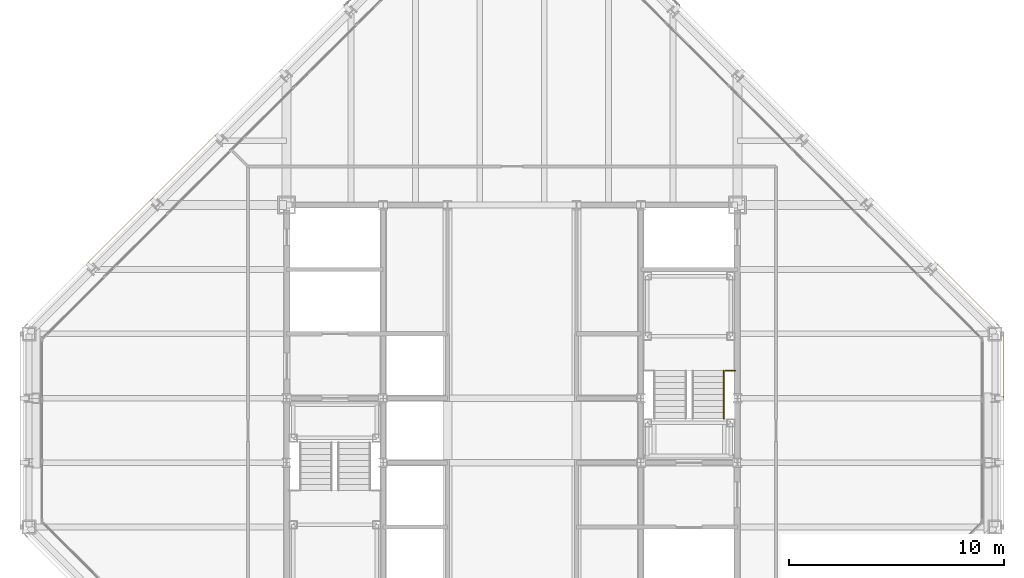
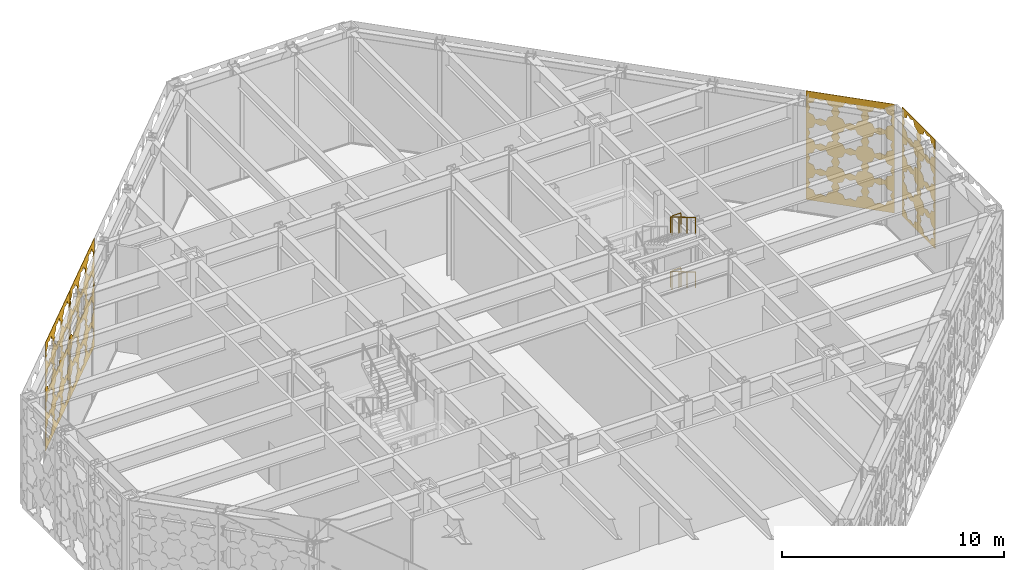
# One storey, part 25 of 28: 4 coverings, 4 railings.
"""IFC4 building model written with IfcOpenShell, lengths in metres."""

from ifc_helpers import new_model, si_unit, direction, frame, origin, origin_2d, place, context, subcontext, project, spatial, polyline, circle, outline, extrude, material, layer, layer_set, type_object, element, save


model = new_model("IFC4")

# Units and contexts
model_context = context("Model", 3, precision=1e-05, world=origin(), true_north=direction((0.0, 1.0)))
body_context = subcontext(model_context, "Body", "Model", "MODEL_VIEW")
ifc_project = project(units=[si_unit("LENGTHUNIT", "METRE"), si_unit("AREAUNIT", "SQUARE_METRE"), si_unit("VOLUMEUNIT", "CUBIC_METRE"), si_unit("PLANEANGLEUNIT", "RADIAN"), si_unit("MASSUNIT", "GRAM", prefix="KILO")], contexts=[model_context])

# Site, building, storey
site_placement = place(None, origin())
site = spatial("IfcSite", under=ifc_project, at=site_placement, CompositionType="ELEMENT")
building_placement = place(site_placement, origin())
building = spatial("IfcBuilding", under=site, at=building_placement, Name="Chuquiago Exchange Tower", CompositionType="ELEMENT")
storey_placement = place(building_placement, frame((0.0, 0.0, 300.0)))
storey = spatial("IfcBuildingStorey", under=building, at=storey_placement, Name="L67", CompositionType="ELEMENT", Elevation=300.0)

# Coverings
ifc_material_1 = material(Name="Anodised aluminium, pale", Category="aluminium")
ifc_layer_1 = layer(ifc_material_1, 0.02001953125)
ifc_layer_set_1 = layer_set([ifc_layer_1], Name="GC3 girih cladding panel 20")
covering_type_1 = type_object("IfcCoveringType", Name="GC3 girih cladding panel 20", PredefinedType="CLADDING", material=ifc_layer_set_1)
covering_1_placement = place(storey_placement, frame((45.39990234375, 24.0048828125, 0.0048828125), z_axis=(0.0, 0.0, 1.0), x_axis=(0.0, 1.0, 0.0)))
element("IfcCovering", 1, at=covering_1_placement, inside=storey, type_object=covering_type_1, Name="Girih cladding panel L67 E 3", PredefinedType="CLADDING", context=body_context, shape_type="SweptSolid", body=[
    extrude(outline(polyline([(0.0, 0.0), (2.989990234375, 0.0), (2.989990234375, 5.990234375), (0.0, 5.990234375), (0.0, 0.0)]), holes=[polyline([(1.27392578125, 0.752685546875), (1.3828125, 1.015869140625), (1.11962890625, 1.124755859375), (1.0107421875, 1.387939453125), (0.74755859375, 1.279052734375), (0.484375, 1.387939453125), (0.375244140625, 1.124755859375), (0.112060546875, 1.015869140625), (0.22119140625, 0.752685546875), (0.112060546875, 0.489501953125), (0.375244140625, 0.38037109375), (0.484375, 0.1171875), (0.74755859375, 0.226318359375), (1.0107421875, 0.1171875), (1.11962890625, 0.38037109375), (1.3828125, 0.489501953125), (1.27392578125, 0.752685546875)]), polyline([(2.768798828125, 0.752685546875), (2.8779296875, 1.015869140625), (2.61474609375, 1.124755859375), (2.505615234375, 1.387939453125), (2.242431640625, 1.279052734375), (1.979248046875, 1.387939453125), (1.870361328125, 1.124755859375), (1.607177734375, 1.015869140625), (1.716064453125, 0.752685546875), (1.607177734375, 0.489501953125), (1.870361328125, 0.38037109375), (1.979248046875, 0.1171875), (2.242431640625, 0.226318359375), (2.505615234375, 0.1171875), (2.61474609375, 0.38037109375), (2.8779296875, 0.489501953125), (2.768798828125, 0.752685546875)]), polyline([(1.27392578125, 2.24755859375), (1.3828125, 2.5107421875), (1.11962890625, 2.619873046875), (1.0107421875, 2.883056640625), (0.74755859375, 2.77392578125), (0.484375, 2.883056640625), (0.375244140625, 2.619873046875), (0.112060546875, 2.5107421875), (0.22119140625, 2.24755859375), (0.112060546875, 1.984375), (0.375244140625, 1.87548828125), (0.484375, 1.6123046875), (0.74755859375, 1.72119140625), (1.0107421875, 1.6123046875), (1.11962890625, 1.87548828125), (1.3828125, 1.984375), (1.27392578125, 2.24755859375)]), polyline([(2.768798828125, 2.24755859375), (2.8779296875, 2.5107421875), (2.61474609375, 2.619873046875), (2.505615234375, 2.883056640625), (2.242431640625, 2.77392578125), (1.979248046875, 2.883056640625), (1.870361328125, 2.619873046875), (1.607177734375, 2.5107421875), (1.716064453125, 2.24755859375), (1.607177734375, 1.984375), (1.870361328125, 1.87548828125), (1.979248046875, 1.6123046875), (2.242431640625, 1.72119140625), (2.505615234375, 1.6123046875), (2.61474609375, 1.87548828125), (2.8779296875, 1.984375), (2.768798828125, 2.24755859375)]), polyline([(1.27392578125, 3.74267578125), (1.3828125, 4.005859375), (1.11962890625, 4.11474609375), (1.0107421875, 4.3779296875), (0.74755859375, 4.26904296875), (0.484375, 4.3779296875), (0.375244140625, 4.11474609375), (0.112060546875, 4.005859375), (0.22119140625, 3.74267578125), (0.112060546875, 3.4794921875), (0.375244140625, 3.370361328125), (0.484375, 3.107177734375), (0.74755859375, 3.21630859375), (1.0107421875, 3.107177734375), (1.11962890625, 3.370361328125), (1.3828125, 3.4794921875), (1.27392578125, 3.74267578125)]), polyline([(2.768798828125, 3.74267578125), (2.8779296875, 4.005859375), (2.61474609375, 4.11474609375), (2.505615234375, 4.3779296875), (2.242431640625, 4.26904296875), (1.979248046875, 4.3779296875), (1.870361328125, 4.11474609375), (1.607177734375, 4.005859375), (1.716064453125, 3.74267578125), (1.607177734375, 3.4794921875), (1.870361328125, 3.370361328125), (1.979248046875, 3.107177734375), (2.242431640625, 3.21630859375), (2.505615234375, 3.107177734375), (2.61474609375, 3.370361328125), (2.8779296875, 3.4794921875), (2.768798828125, 3.74267578125)]), polyline([(1.27392578125, 5.237548828125), (1.3828125, 5.500732421875), (1.11962890625, 5.60986328125), (1.0107421875, 5.873046875), (0.74755859375, 5.763916015625), (0.484375, 5.873046875), (0.375244140625, 5.60986328125), (0.112060546875, 5.500732421875), (0.22119140625, 5.237548828125), (0.112060546875, 4.974365234375), (0.375244140625, 4.865478515625), (0.484375, 4.602294921875), (0.74755859375, 4.711181640625), (1.0107421875, 4.602294921875), (1.11962890625, 4.865478515625), (1.3828125, 4.974365234375), (1.27392578125, 5.237548828125)]), polyline([(2.768798828125, 5.237548828125), (2.8779296875, 5.500732421875), (2.61474609375, 5.60986328125), (2.505615234375, 5.873046875), (2.242431640625, 5.763916015625), (1.979248046875, 5.873046875), (1.870361328125, 5.60986328125), (1.607177734375, 5.500732421875), (1.716064453125, 5.237548828125), (1.607177734375, 4.974365234375), (1.870361328125, 4.865478515625), (1.979248046875, 4.602294921875), (2.242431640625, 4.711181640625), (2.505615234375, 4.602294921875), (2.61474609375, 4.865478515625), (2.8779296875, 4.974365234375), (2.768798828125, 5.237548828125)])]), frame((0.0, 0.0, 0.0), z_axis=(0.0, -1.0, 0.0), x_axis=(1.0, 0.0, 0.0)), (0.0, 0.0, 1.0), 0.02001953125),
])
ifc_material_2 = material(Name="Anodised aluminium, pale", Category="aluminium")
ifc_layer_2 = layer(ifc_material_2, 0.02001953125)
ifc_layer_set_2 = layer_set([ifc_layer_2], Name="GC4 girih cladding panel 20")
covering_type_2 = type_object("IfcCoveringType", Name="GC4 girih cladding panel 20", PredefinedType="CLADDING", material=ifc_layer_set_2)
covering_2_placement = place(storey_placement, frame((8.713623046875, 36.279296875, 0.0048828125), z_axis=(0.0, 0.0, 1.0), x_axis=(-0.707106781187, -0.707106781187, 0.0)))
element("IfcCovering", 2, at=covering_2_placement, inside=storey, type_object=covering_type_2, Name="Girih cladding panel L67 NW 4", PredefinedType="CLADDING", context=body_context, shape_type="SweptSolid", body=[
    extrude(outline(polyline([(0.0, 0.0), (4.232666015625, 0.0), (4.232666015625, 5.990234375), (0.0, 5.990234375), (0.0, 0.0)]), holes=[polyline([(1.2021484375, 0.878662109375), (1.304931640625, 1.127197265625), (1.056640625, 1.22998046875), (0.953857421875, 1.478271484375), (0.70556640625, 1.37548828125), (0.45703125, 1.478271484375), (0.354248046875, 1.22998046875), (0.10595703125, 1.127197265625), (0.208740234375, 0.878662109375), (0.10595703125, 0.63037109375), (0.354248046875, 0.527587890625), (0.45703125, 0.279296875), (0.705322265625, 0.382080078125), (0.953857421875, 0.279296875), (1.056640625, 0.527587890625), (1.304931640625, 0.63037109375), (1.2021484375, 0.878662109375)]), polyline([(2.613037109375, 0.878662109375), (2.7158203125, 1.127197265625), (2.467529296875, 1.22998046875), (2.36474609375, 1.478271484375), (2.116455078125, 1.37548828125), (1.867919921875, 1.478271484375), (1.76513671875, 1.22998046875), (1.516845703125, 1.127197265625), (1.61962890625, 0.878662109375), (1.516845703125, 0.63037109375), (1.76513671875, 0.527587890625), (1.867919921875, 0.279296875), (2.116455078125, 0.382080078125), (2.36474609375, 0.279296875), (2.467529296875, 0.527587890625), (2.7158203125, 0.63037109375), (2.613037109375, 0.878662109375)]), polyline([(4.02392578125, 0.878662109375), (4.126708984375, 1.127197265625), (3.87841796875, 1.22998046875), (3.775634765625, 1.478271484375), (3.527099609375, 1.37548828125), (3.27880859375, 1.478271484375), (3.176025390625, 1.22998046875), (2.927734375, 1.127197265625), (3.030517578125, 0.878662109375), (2.927734375, 0.63037109375), (3.176025390625, 0.527587890625), (3.27880859375, 0.279296875), (3.527099609375, 0.382080078125), (3.775634765625, 0.279296875), (3.87841796875, 0.527587890625), (4.126708984375, 0.63037109375), (4.02392578125, 0.878662109375)]), polyline([(1.2021484375, 2.289794921875), (1.304931640625, 2.5380859375), (1.056640625, 2.640869140625), (0.953857421875, 2.88916015625), (0.70556640625, 2.786376953125), (0.45703125, 2.88916015625), (0.354248046875, 2.640869140625), (0.10595703125, 2.5380859375), (0.208740234375, 2.289794921875), (0.10595703125, 2.041259765625), (0.354248046875, 1.9384765625), (0.45703125, 1.690185546875), (0.705322265625, 1.79296875), (0.953857421875, 1.690185546875), (1.056640625, 1.9384765625), (1.304931640625, 2.041259765625), (1.2021484375, 2.289794921875)]), polyline([(2.613037109375, 2.289794921875), (2.7158203125, 2.5380859375), (2.467529296875, 2.640869140625), (2.36474609375, 2.88916015625), (2.116455078125, 2.786376953125), (1.867919921875, 2.88916015625), (1.76513671875, 2.640869140625), (1.516845703125, 2.5380859375), (1.61962890625, 2.289794921875), (1.516845703125, 2.041259765625), (1.76513671875, 1.9384765625), (1.867919921875, 1.690185546875), (2.116455078125, 1.79296875), (2.36474609375, 1.690185546875), (2.467529296875, 1.9384765625), (2.7158203125, 2.041259765625), (2.613037109375, 2.289794921875)]), polyline([(4.02392578125, 2.289794921875), (4.126708984375, 2.5380859375), (3.87841796875, 2.640869140625), (3.775634765625, 2.88916015625), (3.527099609375, 2.786376953125), (3.27880859375, 2.88916015625), (3.176025390625, 2.640869140625), (2.927734375, 2.5380859375), (3.030517578125, 2.289794921875), (2.927734375, 2.041259765625), (3.176025390625, 1.9384765625), (3.27880859375, 1.690185546875), (3.527099609375, 1.79296875), (3.775634765625, 1.690185546875), (3.87841796875, 1.9384765625), (4.126708984375, 2.041259765625), (4.02392578125, 2.289794921875)]), polyline([(1.2021484375, 3.700439453125), (1.304931640625, 3.948974609375), (1.056640625, 4.0517578125), (0.953857421875, 4.300048828125), (0.70556640625, 4.197265625), (0.45703125, 4.300048828125), (0.354248046875, 4.0517578125), (0.10595703125, 3.948974609375), (0.208740234375, 3.700439453125), (0.10595703125, 3.4521484375), (0.354248046875, 3.349365234375), (0.45703125, 3.10107421875), (0.705322265625, 3.203857421875), (0.953857421875, 3.10107421875), (1.056640625, 3.349365234375), (1.304931640625, 3.4521484375), (1.2021484375, 3.700439453125)]), polyline([(2.613037109375, 3.700439453125), (2.7158203125, 3.948974609375), (2.467529296875, 4.0517578125), (2.36474609375, 4.300048828125), (2.116455078125, 4.197265625), (1.867919921875, 4.300048828125), (1.76513671875, 4.0517578125), (1.516845703125, 3.948974609375), (1.61962890625, 3.700439453125), (1.516845703125, 3.4521484375), (1.76513671875, 3.349365234375), (1.867919921875, 3.10107421875), (2.116455078125, 3.203857421875), (2.36474609375, 3.10107421875), (2.467529296875, 3.349365234375), (2.7158203125, 3.4521484375), (2.613037109375, 3.700439453125)]), polyline([(4.02392578125, 3.700439453125), (4.126708984375, 3.948974609375), (3.87841796875, 4.0517578125), (3.775634765625, 4.300048828125), (3.527099609375, 4.197265625), (3.27880859375, 4.300048828125), (3.176025390625, 4.0517578125), (2.927734375, 3.948974609375), (3.030517578125, 3.700439453125), (2.927734375, 3.4521484375), (3.176025390625, 3.349365234375), (3.27880859375, 3.10107421875), (3.527099609375, 3.203857421875), (3.775634765625, 3.10107421875), (3.87841796875, 3.349365234375), (4.126708984375, 3.4521484375), (4.02392578125, 3.700439453125)]), polyline([(1.2021484375, 5.111572265625), (1.304931640625, 5.35986328125), (1.056640625, 5.462646484375), (0.953857421875, 5.7109375), (0.70556640625, 5.608154296875), (0.45703125, 5.7109375), (0.354248046875, 5.462646484375), (0.10595703125, 5.35986328125), (0.208740234375, 5.111572265625), (0.10595703125, 4.863037109375), (0.354248046875, 4.76025390625), (0.45703125, 4.511962890625), (0.705322265625, 4.61474609375), (0.953857421875, 4.511962890625), (1.056640625, 4.76025390625), (1.304931640625, 4.863037109375), (1.2021484375, 5.111572265625)]), polyline([(2.613037109375, 5.111572265625), (2.7158203125, 5.35986328125), (2.467529296875, 5.462646484375), (2.36474609375, 5.7109375), (2.116455078125, 5.608154296875), (1.867919921875, 5.7109375), (1.76513671875, 5.462646484375), (1.516845703125, 5.35986328125), (1.61962890625, 5.111572265625), (1.516845703125, 4.863037109375), (1.76513671875, 4.76025390625), (1.867919921875, 4.511962890625), (2.116455078125, 4.61474609375), (2.36474609375, 4.511962890625), (2.467529296875, 4.76025390625), (2.7158203125, 4.863037109375), (2.613037109375, 5.111572265625)]), polyline([(4.02392578125, 5.111572265625), (4.126708984375, 5.35986328125), (3.87841796875, 5.462646484375), (3.775634765625, 5.7109375), (3.527099609375, 5.608154296875), (3.27880859375, 5.7109375), (3.176025390625, 5.462646484375), (2.927734375, 5.35986328125), (3.030517578125, 5.111572265625), (2.927734375, 4.863037109375), (3.176025390625, 4.76025390625), (3.27880859375, 4.511962890625), (3.527099609375, 4.61474609375), (3.775634765625, 4.511962890625), (3.87841796875, 4.76025390625), (4.126708984375, 4.863037109375), (4.02392578125, 5.111572265625)])]), frame((0.0, 0.0, 0.0), z_axis=(0.0, -1.0, 0.0), x_axis=(1.0, 0.0, 0.0)), (0.0, 0.0, 1.0), 0.02001953125),
])
covering_3_placement = place(storey_placement, frame((5.713623046875, 33.279296875, 0.0048828125), z_axis=(0.0, 0.0, 1.0), x_axis=(-0.707106781187, -0.707106781187, 0.0)))
element("IfcCovering", 3, at=covering_3_placement, inside=storey, type_object=covering_type_2, Name="Girih cladding panel L67 NW 5", PredefinedType="CLADDING", context=body_context, shape_type="SweptSolid", body=[
    extrude(outline(polyline([(0.0, 0.0), (4.232666015625, 0.0), (4.232666015625, 5.990234375), (0.0, 5.990234375), (0.0, 0.0)]), holes=[polyline([(1.2021484375, 0.878662109375), (1.304931640625, 1.127197265625), (1.056640625, 1.22998046875), (0.953857421875, 1.478271484375), (0.70556640625, 1.37548828125), (0.45703125, 1.478271484375), (0.354248046875, 1.22998046875), (0.10595703125, 1.127197265625), (0.208740234375, 0.878662109375), (0.10595703125, 0.63037109375), (0.354248046875, 0.527587890625), (0.45703125, 0.279296875), (0.705322265625, 0.382080078125), (0.953857421875, 0.279296875), (1.056640625, 0.527587890625), (1.304931640625, 0.63037109375), (1.2021484375, 0.878662109375)]), polyline([(2.613037109375, 0.878662109375), (2.7158203125, 1.127197265625), (2.467529296875, 1.22998046875), (2.36474609375, 1.478271484375), (2.116455078125, 1.37548828125), (1.867919921875, 1.478271484375), (1.76513671875, 1.22998046875), (1.516845703125, 1.127197265625), (1.61962890625, 0.878662109375), (1.516845703125, 0.63037109375), (1.76513671875, 0.527587890625), (1.867919921875, 0.279296875), (2.116455078125, 0.382080078125), (2.36474609375, 0.279296875), (2.467529296875, 0.527587890625), (2.7158203125, 0.63037109375), (2.613037109375, 0.878662109375)]), polyline([(4.02392578125, 0.878662109375), (4.126708984375, 1.127197265625), (3.87841796875, 1.22998046875), (3.775634765625, 1.478271484375), (3.527099609375, 1.37548828125), (3.27880859375, 1.478271484375), (3.176025390625, 1.22998046875), (2.927734375, 1.127197265625), (3.030517578125, 0.878662109375), (2.927734375, 0.63037109375), (3.176025390625, 0.527587890625), (3.27880859375, 0.279296875), (3.527099609375, 0.382080078125), (3.775634765625, 0.279296875), (3.87841796875, 0.527587890625), (4.126708984375, 0.63037109375), (4.02392578125, 0.878662109375)]), polyline([(1.2021484375, 2.289794921875), (1.304931640625, 2.5380859375), (1.056640625, 2.640869140625), (0.953857421875, 2.88916015625), (0.70556640625, 2.786376953125), (0.45703125, 2.88916015625), (0.354248046875, 2.640869140625), (0.10595703125, 2.5380859375), (0.208740234375, 2.289794921875), (0.10595703125, 2.041259765625), (0.354248046875, 1.9384765625), (0.45703125, 1.690185546875), (0.705322265625, 1.79296875), (0.953857421875, 1.690185546875), (1.056640625, 1.9384765625), (1.304931640625, 2.041259765625), (1.2021484375, 2.289794921875)]), polyline([(2.613037109375, 2.289794921875), (2.7158203125, 2.5380859375), (2.467529296875, 2.640869140625), (2.36474609375, 2.88916015625), (2.116455078125, 2.786376953125), (1.867919921875, 2.88916015625), (1.76513671875, 2.640869140625), (1.516845703125, 2.5380859375), (1.61962890625, 2.289794921875), (1.516845703125, 2.041259765625), (1.76513671875, 1.9384765625), (1.867919921875, 1.690185546875), (2.116455078125, 1.79296875), (2.36474609375, 1.690185546875), (2.467529296875, 1.9384765625), (2.7158203125, 2.041259765625), (2.613037109375, 2.289794921875)]), polyline([(4.02392578125, 2.289794921875), (4.126708984375, 2.5380859375), (3.87841796875, 2.640869140625), (3.775634765625, 2.88916015625), (3.527099609375, 2.786376953125), (3.27880859375, 2.88916015625), (3.176025390625, 2.640869140625), (2.927734375, 2.5380859375), (3.030517578125, 2.289794921875), (2.927734375, 2.041259765625), (3.176025390625, 1.9384765625), (3.27880859375, 1.690185546875), (3.527099609375, 1.79296875), (3.775634765625, 1.690185546875), (3.87841796875, 1.9384765625), (4.126708984375, 2.041259765625), (4.02392578125, 2.289794921875)]), polyline([(1.2021484375, 3.700439453125), (1.304931640625, 3.948974609375), (1.056640625, 4.0517578125), (0.953857421875, 4.300048828125), (0.70556640625, 4.197265625), (0.45703125, 4.300048828125), (0.354248046875, 4.0517578125), (0.10595703125, 3.948974609375), (0.208740234375, 3.700439453125), (0.10595703125, 3.4521484375), (0.354248046875, 3.349365234375), (0.45703125, 3.10107421875), (0.705322265625, 3.203857421875), (0.953857421875, 3.10107421875), (1.056640625, 3.349365234375), (1.304931640625, 3.4521484375), (1.2021484375, 3.700439453125)]), polyline([(2.613037109375, 3.700439453125), (2.7158203125, 3.948974609375), (2.467529296875, 4.0517578125), (2.36474609375, 4.300048828125), (2.116455078125, 4.197265625), (1.867919921875, 4.300048828125), (1.76513671875, 4.0517578125), (1.516845703125, 3.948974609375), (1.61962890625, 3.700439453125), (1.516845703125, 3.4521484375), (1.76513671875, 3.349365234375), (1.867919921875, 3.10107421875), (2.116455078125, 3.203857421875), (2.36474609375, 3.10107421875), (2.467529296875, 3.349365234375), (2.7158203125, 3.4521484375), (2.613037109375, 3.700439453125)]), polyline([(4.02392578125, 3.700439453125), (4.126708984375, 3.948974609375), (3.87841796875, 4.0517578125), (3.775634765625, 4.300048828125), (3.527099609375, 4.197265625), (3.27880859375, 4.300048828125), (3.176025390625, 4.0517578125), (2.927734375, 3.948974609375), (3.030517578125, 3.700439453125), (2.927734375, 3.4521484375), (3.176025390625, 3.349365234375), (3.27880859375, 3.10107421875), (3.527099609375, 3.203857421875), (3.775634765625, 3.10107421875), (3.87841796875, 3.349365234375), (4.126708984375, 3.4521484375), (4.02392578125, 3.700439453125)]), polyline([(1.2021484375, 5.111572265625), (1.304931640625, 5.35986328125), (1.056640625, 5.462646484375), (0.953857421875, 5.7109375), (0.70556640625, 5.608154296875), (0.45703125, 5.7109375), (0.354248046875, 5.462646484375), (0.10595703125, 5.35986328125), (0.208740234375, 5.111572265625), (0.10595703125, 4.863037109375), (0.354248046875, 4.76025390625), (0.45703125, 4.511962890625), (0.705322265625, 4.61474609375), (0.953857421875, 4.511962890625), (1.056640625, 4.76025390625), (1.304931640625, 4.863037109375), (1.2021484375, 5.111572265625)]), polyline([(2.613037109375, 5.111572265625), (2.7158203125, 5.35986328125), (2.467529296875, 5.462646484375), (2.36474609375, 5.7109375), (2.116455078125, 5.608154296875), (1.867919921875, 5.7109375), (1.76513671875, 5.462646484375), (1.516845703125, 5.35986328125), (1.61962890625, 5.111572265625), (1.516845703125, 4.863037109375), (1.76513671875, 4.76025390625), (1.867919921875, 4.511962890625), (2.116455078125, 4.61474609375), (2.36474609375, 4.511962890625), (2.467529296875, 4.76025390625), (2.7158203125, 4.863037109375), (2.613037109375, 5.111572265625)]), polyline([(4.02392578125, 5.111572265625), (4.126708984375, 5.35986328125), (3.87841796875, 5.462646484375), (3.775634765625, 5.7109375), (3.527099609375, 5.608154296875), (3.27880859375, 5.7109375), (3.176025390625, 5.462646484375), (2.927734375, 5.35986328125), (3.030517578125, 5.111572265625), (2.927734375, 4.863037109375), (3.176025390625, 4.76025390625), (3.27880859375, 4.511962890625), (3.527099609375, 4.61474609375), (3.775634765625, 4.511962890625), (3.87841796875, 4.76025390625), (4.126708984375, 4.863037109375), (4.02392578125, 5.111572265625)])]), frame((0.0, 0.0, 0.0), z_axis=(0.0, -1.0, 0.0), x_axis=(1.0, 0.0, 0.0)), (0.0, 0.0, 1.0), 0.02001953125),
])
ifc_material_3 = material(Name="Anodised aluminium, pale", Category="aluminium")
ifc_layer_3 = layer(ifc_material_3, 0.02001953125)
ifc_layer_set_3 = layer_set([ifc_layer_3], Name="GC7 girih cladding panel 20")
covering_type_3 = type_object("IfcCoveringType", Name="GC7 girih cladding panel 20", PredefinedType="CLADDING", material=ifc_layer_set_3)
covering_4_placement = place(storey_placement, frame((45.2158203125, 27.35009765625, 0.0048828125), z_axis=(0.0, 0.0, 1.0), x_axis=(-0.707106781187, 0.707106781187, 0.0)))
element("IfcCovering", 4, at=covering_4_placement, inside=storey, type_object=covering_type_3, Name="Girih cladding panel L67 NE 1", PredefinedType="CLADDING", context=body_context, shape_type="SweptSolid", body=[
    extrude(outline(polyline([(0.0, 0.0), (4.142578125, 0.0), (4.142578125, 5.990234375), (0.0, 5.990234375), (0.0, 0.0)]), holes=[polyline([(1.176513671875, 0.923828125), (1.27734375, 1.166748046875), (1.0341796875, 1.267578125), (0.93359375, 1.510498046875), (0.6904296875, 1.409912109375), (0.447509765625, 1.510498046875), (0.3466796875, 1.267578125), (0.103515625, 1.166748046875), (0.204345703125, 0.923828125), (0.103515625, 0.6806640625), (0.3466796875, 0.580078125), (0.447509765625, 0.3369140625), (0.6904296875, 0.4375), (0.93359375, 0.3369140625), (1.0341796875, 0.580078125), (1.27734375, 0.6806640625), (1.176513671875, 0.923828125)]), polyline([(2.5576171875, 0.923828125), (2.658203125, 1.166748046875), (2.4150390625, 1.267578125), (2.314453125, 1.510498046875), (2.0712890625, 1.409912109375), (1.828369140625, 1.510498046875), (1.7275390625, 1.267578125), (1.484619140625, 1.166748046875), (1.585205078125, 0.923828125), (1.484619140625, 0.6806640625), (1.7275390625, 0.580078125), (1.828369140625, 0.3369140625), (2.0712890625, 0.4375), (2.314453125, 0.3369140625), (2.4150390625, 0.580078125), (2.658203125, 0.6806640625), (2.5576171875, 0.923828125)]), polyline([(3.9384765625, 0.923828125), (4.0390625, 1.166748046875), (3.7958984375, 1.267578125), (3.6953125, 1.510498046875), (3.452392578125, 1.409912109375), (3.209228515625, 1.510498046875), (3.1083984375, 1.267578125), (2.865478515625, 1.166748046875), (2.966064453125, 0.923828125), (2.865478515625, 0.6806640625), (3.1083984375, 0.580078125), (3.209228515625, 0.3369140625), (3.452392578125, 0.4375), (3.6953125, 0.3369140625), (3.7958984375, 0.580078125), (4.0390625, 0.6806640625), (3.9384765625, 0.923828125)]), polyline([(1.176513671875, 2.3046875), (1.27734375, 2.547607421875), (1.0341796875, 2.6484375), (0.93359375, 2.8916015625), (0.6904296875, 2.790771484375), (0.447509765625, 2.8916015625), (0.3466796875, 2.6484375), (0.103515625, 2.547607421875), (0.204345703125, 2.3046875), (0.103515625, 2.0615234375), (0.3466796875, 1.9609375), (0.447509765625, 1.7177734375), (0.6904296875, 1.818603515625), (0.93359375, 1.7177734375), (1.0341796875, 1.9609375), (1.27734375, 2.0615234375), (1.176513671875, 2.3046875)]), polyline([(2.5576171875, 2.3046875), (2.658203125, 2.547607421875), (2.4150390625, 2.6484375), (2.314453125, 2.8916015625), (2.0712890625, 2.790771484375), (1.828369140625, 2.8916015625), (1.7275390625, 2.6484375), (1.484619140625, 2.547607421875), (1.585205078125, 2.3046875), (1.484619140625, 2.0615234375), (1.7275390625, 1.9609375), (1.828369140625, 1.7177734375), (2.0712890625, 1.818603515625), (2.314453125, 1.7177734375), (2.4150390625, 1.9609375), (2.658203125, 2.0615234375), (2.5576171875, 2.3046875)]), polyline([(3.9384765625, 2.3046875), (4.0390625, 2.547607421875), (3.7958984375, 2.6484375), (3.6953125, 2.8916015625), (3.452392578125, 2.790771484375), (3.209228515625, 2.8916015625), (3.1083984375, 2.6484375), (2.865478515625, 2.547607421875), (2.966064453125, 2.3046875), (2.865478515625, 2.0615234375), (3.1083984375, 1.9609375), (3.209228515625, 1.7177734375), (3.452392578125, 1.818603515625), (3.6953125, 1.7177734375), (3.7958984375, 1.9609375), (4.0390625, 2.0615234375), (3.9384765625, 2.3046875)]), polyline([(1.176513671875, 3.685546875), (1.27734375, 3.9287109375), (1.0341796875, 4.029296875), (0.93359375, 4.2724609375), (0.6904296875, 4.171630859375), (0.447509765625, 4.2724609375), (0.3466796875, 4.029296875), (0.103515625, 3.9287109375), (0.204345703125, 3.685546875), (0.103515625, 3.442626953125), (0.3466796875, 3.341796875), (0.447509765625, 3.0986328125), (0.6904296875, 3.199462890625), (0.93359375, 3.0986328125), (1.0341796875, 3.341796875), (1.27734375, 3.442626953125), (1.176513671875, 3.685546875)]), polyline([(2.5576171875, 3.685546875), (2.658203125, 3.9287109375), (2.4150390625, 4.029296875), (2.314453125, 4.2724609375), (2.0712890625, 4.171630859375), (1.828369140625, 4.2724609375), (1.7275390625, 4.029296875), (1.484619140625, 3.9287109375), (1.585205078125, 3.685546875), (1.484619140625, 3.442626953125), (1.7275390625, 3.341796875), (1.828369140625, 3.0986328125), (2.0712890625, 3.199462890625), (2.314453125, 3.0986328125), (2.4150390625, 3.341796875), (2.658203125, 3.442626953125), (2.5576171875, 3.685546875)]), polyline([(3.9384765625, 3.685546875), (4.0390625, 3.9287109375), (3.7958984375, 4.029296875), (3.6953125, 4.2724609375), (3.452392578125, 4.171630859375), (3.209228515625, 4.2724609375), (3.1083984375, 4.029296875), (2.865478515625, 3.9287109375), (2.966064453125, 3.685546875), (2.865478515625, 3.442626953125), (3.1083984375, 3.341796875), (3.209228515625, 3.0986328125), (3.452392578125, 3.199462890625), (3.6953125, 3.0986328125), (3.7958984375, 3.341796875), (4.0390625, 3.442626953125), (3.9384765625, 3.685546875)]), polyline([(1.176513671875, 5.06640625), (1.27734375, 5.3095703125), (1.0341796875, 5.41015625), (0.93359375, 5.6533203125), (0.6904296875, 5.552734375), (0.447509765625, 5.6533203125), (0.3466796875, 5.41015625), (0.103515625, 5.3095703125), (0.204345703125, 5.06640625), (0.103515625, 4.823486328125), (0.3466796875, 4.72265625), (0.447509765625, 4.479736328125), (0.6904296875, 4.580322265625), (0.93359375, 4.479736328125), (1.0341796875, 4.72265625), (1.27734375, 4.823486328125), (1.176513671875, 5.06640625)]), polyline([(2.5576171875, 5.06640625), (2.658203125, 5.3095703125), (2.4150390625, 5.41015625), (2.314453125, 5.6533203125), (2.0712890625, 5.552734375), (1.828369140625, 5.6533203125), (1.7275390625, 5.41015625), (1.484619140625, 5.3095703125), (1.585205078125, 5.06640625), (1.484619140625, 4.823486328125), (1.7275390625, 4.72265625), (1.828369140625, 4.479736328125), (2.0712890625, 4.580322265625), (2.314453125, 4.479736328125), (2.4150390625, 4.72265625), (2.658203125, 4.823486328125), (2.5576171875, 5.06640625)]), polyline([(3.9384765625, 5.06640625), (4.0390625, 5.3095703125), (3.7958984375, 5.41015625), (3.6953125, 5.6533203125), (3.452392578125, 5.552734375), (3.209228515625, 5.6533203125), (3.1083984375, 5.41015625), (2.865478515625, 5.3095703125), (2.966064453125, 5.06640625), (2.865478515625, 4.823486328125), (3.1083984375, 4.72265625), (3.209228515625, 4.479736328125), (3.452392578125, 4.580322265625), (3.6953125, 4.479736328125), (3.7958984375, 4.72265625), (4.0390625, 4.823486328125), (3.9384765625, 5.06640625)])]), frame((0.0, 0.0, 0.0), z_axis=(0.0, -1.0, 0.0), x_axis=(1.0, 0.0, 0.0)), (0.0, 0.0, 1.0), 0.02001953125),
])

# Railings
ifc_material_4 = material(Name="Pale metal guard with safety glass infill", Category="glass")
railing_type_1 = type_object("IfcRailingType", Name="GR1 guard 1100", PredefinedType="GUARDRAIL", material=ifc_material_4)
for number, where, name in (
    (5, (32.445068359375, 25.2900390625, 1.5), "Guard ST2 L67 landing 2"),
    (6, (32.445068359375, 25.2900390625, 4.5), "Guard ST2 L67 landing 4"),
):
    element("IfcRailing", number, at=place(storey_placement, frame(where)), inside=storey, type_object=railing_type_1, Name=name, PredefinedType="GUARDRAIL", context=body_context, shape_type="SweptSolid", body=[
        extrude(circle(Radius=0.02392578125, at=origin_2d()), frame((0.0, 0.0, 1.076171875), z_axis=(1.0, 0.0, 0.0), x_axis=(0.0, 1.0, 0.0)), (0.0, 0.0, 1.0), 0.454833984375),
        extrude(circle(Radius=0.02099609375, at=origin_2d()), origin(), (0.0, 0.0, 1.0), 1.052001953125),
        extrude(circle(Radius=0.02099609375, at=origin_2d()), frame((0.454833984375, 0.0, 0.0)), (0.0, 0.0, 1.0), 1.052001953125),
    ])
ifc_material_5 = material(Name="Pale metal handrail", Category="steel")
railing_type_2 = type_object("IfcRailingType", Name="HR1 handrail 900", PredefinedType="HANDRAIL", material=ifc_material_5)
for number, where, name in (
    (7, (32.364990234375, 25.2900390625, 1.666748046875), "Handrail ST2 L67 flight 2"),
    (8, (32.364990234375, 25.2900390625, 4.666748046875), "Handrail ST2 L67 flight 4"),
):
    element("IfcRailing", number, at=place(storey_placement, frame(where)), inside=storey, type_object=railing_type_2, Name=name, PredefinedType="HANDRAIL", context=body_context, shape_type="SweptSolid", body=[
        extrude(circle(Radius=0.02392578125, at=origin_2d()), frame((0.0, 0.0, 0.8759765625), z_axis=(0.0, -0.859305625298, 0.511462454469), x_axis=(1.0, 0.0, 0.0)), (0.0, 0.0, 1.0), 2.606689453125),
        extrude(circle(Radius=0.02099609375, at=origin_2d()), origin(), (0.0, 0.0, 1.0), 0.851806640625),
        extrude(circle(Radius=0.02099609375, at=origin_2d()), frame((0.0, -0.74658203125, 0.4443359375)), (0.0, 0.0, 1.0), 0.851806640625),
        extrude(circle(Radius=0.02099609375, at=origin_2d()), frame((0.0, -1.493408203125, 0.888916015625)), (0.0, 0.0, 1.0), 0.851806640625),
        extrude(circle(Radius=0.02099609375, at=origin_2d()), frame((0.0, -2.239990234375, 1.333251953125)), (0.0, 0.0, 1.0), 0.851806640625),
    ])

save(model, "model.ifc")
